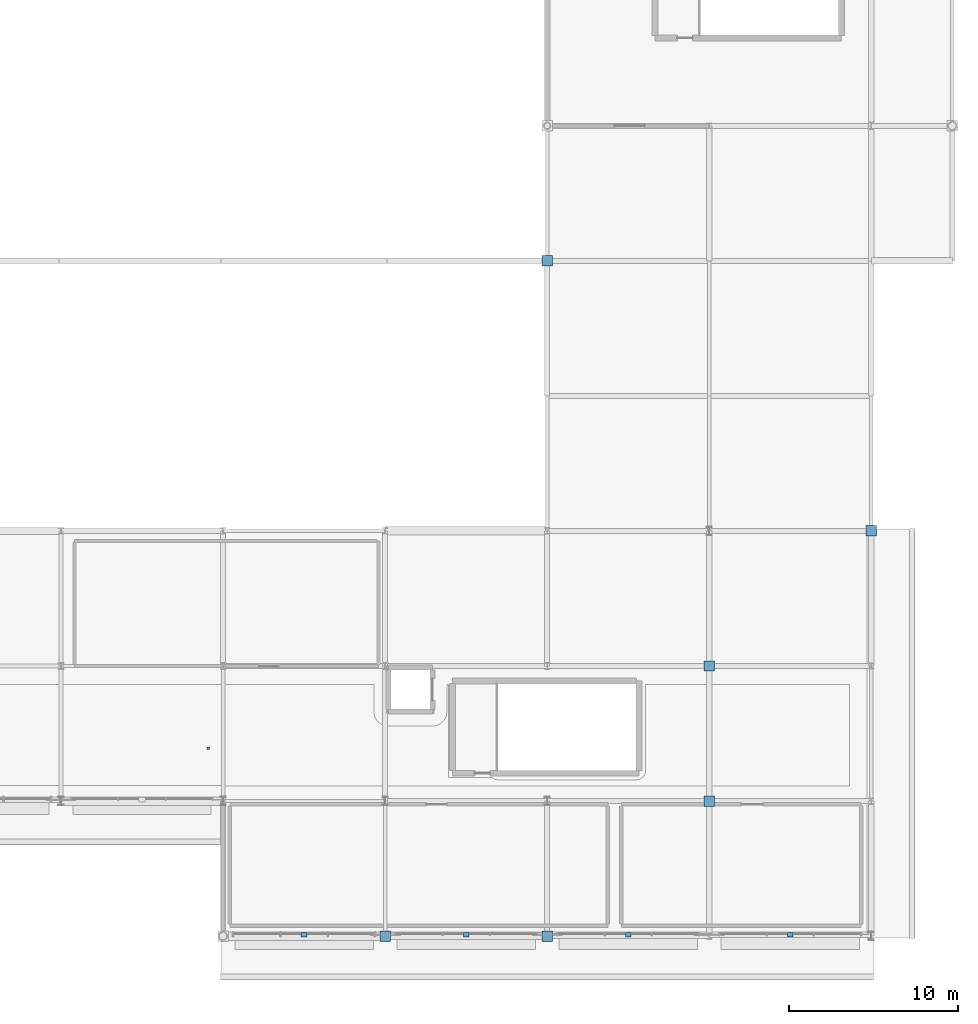
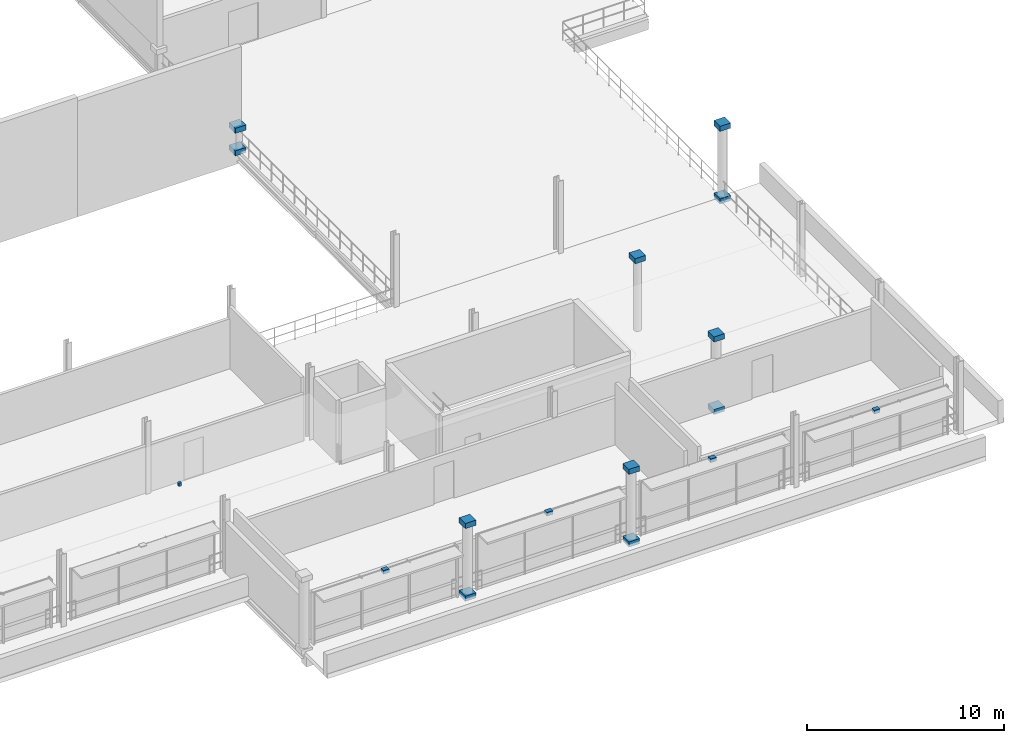
# One storey, part 46 of 59: 16 discrete accessories.
"""IFC4 building model written with IfcOpenShell, lengths in metres."""

from ifc_helpers import new_model, si_unit, direction, frame, origin, origin_2d, place, context, subcontext, project, spatial, rectangle, extrude, material, type_object, element, save


model = new_model("IFC4")

# Units and contexts
model_context = context("Model", 3, precision=1e-05, world=origin(), true_north=direction((0.0, 1.0)))
body_context = subcontext(model_context, "Body", "Model", "MODEL_VIEW")
ifc_project = project(units=[si_unit("LENGTHUNIT", "METRE"), si_unit("AREAUNIT", "SQUARE_METRE"), si_unit("VOLUMEUNIT", "CUBIC_METRE"), si_unit("PLANEANGLEUNIT", "RADIAN"), si_unit("MASSUNIT", "GRAM", prefix="KILO")], contexts=[model_context])

# Site, building, storey
site_placement = place(None, origin())
site = spatial("IfcSite", under=ifc_project, at=site_placement, CompositionType="ELEMENT")
building_placement = place(site_placement, origin())
building = spatial("IfcBuilding", under=site, at=building_placement, Name="Danafjord Basin Convention Centre", CompositionType="ELEMENT")
storey_placement = place(building_placement, frame((0.0, 0.0, 15.89990234375)))
storey = spatial("IfcBuildingStorey", under=building, at=storey_placement, Name="L03", CompositionType="ELEMENT", Elevation=15.89990234375)

# Discrete accessories
ifc_material_1 = material(Name="Stainless steel EN 1.4404", Category="steel")
discrete_accessory_type_1 = type_object("IfcDiscreteAccessoryType", Name="ACC-FIN-BRK", PredefinedType="BRACKET", material=ifc_material_1)
for number, where, z_axis, x_axis, name in (
    (1, (177.60009765625, 0.070068359375, 2.9951171875), (0.0, 0.0, 1.0), (1.0, 0.0, 0.0), "Sunshade tie-back bracket"),
    (2, (187.199951171875, 0.070068359375, 3.2451171875), (0.0, 0.0, 1.0), (1.0, 0.0, 0.0), "Sunshade tie-back bracket"),
    (3, (196.800048828125, 0.070068359375, 3.1953125), (0.0, 0.0, 1.0), (1.0, 0.0, 0.0), "Sunshade tie-back bracket"),
    (4, (206.39990234375, 0.070068359375, 2.84521484375), (0.0, 0.0, 1.0), (1.0, 0.0, 0.0), "Sunshade tie-back bracket"),
):
    element("IfcDiscreteAccessory", number, at=place(storey_placement, frame(where, z_axis=z_axis, x_axis=x_axis)), inside=storey, type_object=discrete_accessory_type_1, Name=name, PredefinedType="BRACKET", context=body_context, shape_type="SweptSolid", body=[
        extrude(rectangle(XDim=0.340087890625, YDim=0.260009765625, at=origin_2d()), origin(), (0.0, 0.0, 1.0), 0.219970703125),
    ])
discrete_accessory_placement = place(storey_placement, frame((171.919921875, 11.125, 3.6552734375), z_axis=(0.0, 0.0, 1.0), x_axis=(1.0, 0.0, 0.0)))
element("IfcDiscreteAccessory", 5, at=discrete_accessory_placement, inside=storey, type_object=discrete_accessory_type_1, Name="Suspended ceiling steel hanger assembly", PredefinedType="BRACKET", context=body_context, shape_type="SweptSolid", body=[
    extrude(rectangle(XDim=0.159912109375, YDim=0.159912109375, at=origin_2d()), origin(), (0.0, 0.0, 1.0), 0.199951171875),
])
ifc_material_2 = material(Name="Steel S355", Category="steel")
discrete_accessory_type_2 = type_object("IfcDiscreteAccessoryType", Name="ACC-SF-HUB", PredefinedType="BRACKET", material=ifc_material_2)
for number, where, z_axis, x_axis, name in (
    (6, (182.39990234375, 0.0, -0.16015625), (0.0, 0.0, 1.0), (1.0, 0.0, 0.0), "Tubular steel column transition collar"),
    (7, (182.39990234375, 0.0, 4.33984375), (0.0, 0.0, 1.0), (1.0, 0.0, 0.0), "Tubular steel column top cap plate"),
    (8, (192.0, 0.0, -0.16015625), (0.0, 0.0, 1.0), (1.0, 0.0, 0.0), "Tubular steel column transition collar"),
    (9, (192.0, 0.0, 4.33984375), (0.0, 0.0, 1.0), (1.0, 0.0, 0.0), "Tubular steel column top cap plate"),
    (10, (192.0, 40.0, -0.16015625), (0.0, 0.0, 1.0), (1.0, 0.0, 0.0), "Tubular steel column transition collar"),
    (11, (192.0, 40.0, 1.240234375), (0.0, 0.0, 1.0), (1.0, 0.0, 0.0), "Tubular steel column top cap plate"),
    (12, (201.60009765625, 8.0, -0.16015625), (0.0, 0.0, 1.0), (1.0, 0.0, 0.0), "Tubular steel column transition collar"),
    (13, (201.60009765625, 8.0, 4.33984375), (0.0, 0.0, 1.0), (1.0, 0.0, 0.0), "Tubular steel column top cap plate"),
    (14, (201.60009765625, 16.0, 4.33984375), (0.0, 0.0, 1.0), (1.0, 0.0, 0.0), "Tubular steel column top cap plate"),
    (15, (211.199951171875, 24.0, -0.16015625), (0.0, 0.0, 1.0), (1.0, 0.0, 0.0), "Tubular steel column transition collar"),
    (16, (211.199951171875, 24.0, 4.33984375), (0.0, 0.0, 1.0), (1.0, 0.0, 0.0), "Tubular steel column top cap plate"),
):
    element("IfcDiscreteAccessory", number, at=place(storey_placement, frame(where, z_axis=z_axis, x_axis=x_axis)), inside=storey, type_object=discrete_accessory_type_2, Name=name, PredefinedType="BRACKET", context=body_context, shape_type="SweptSolid", body=[
        extrude(rectangle(XDim=0.6201171875, YDim=0.6201171875, at=origin_2d()), origin(), (0.0, 0.0, 1.0), 0.320068359375),
    ])

save(model, "model.ifc")
